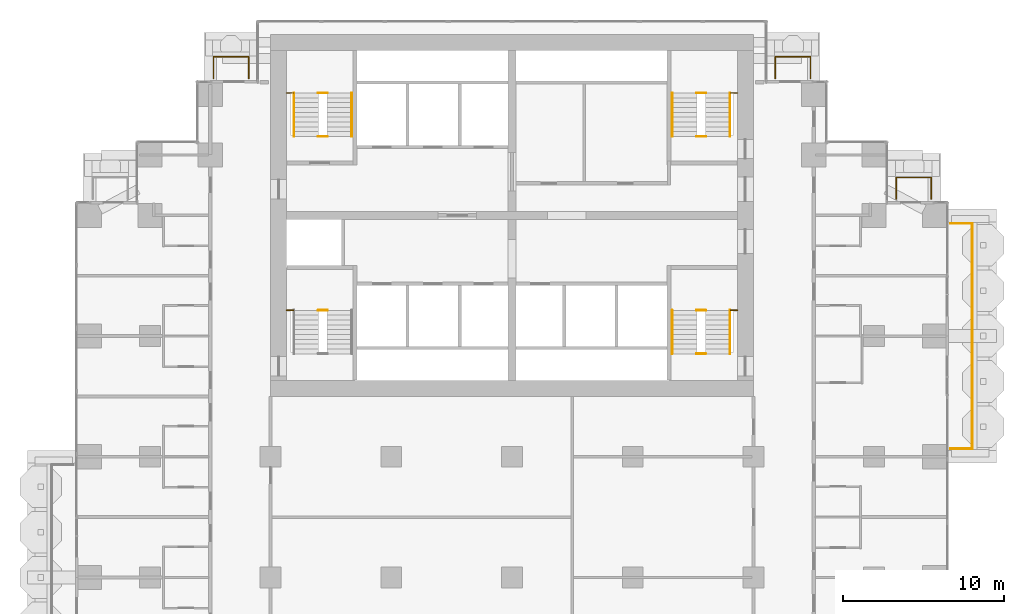
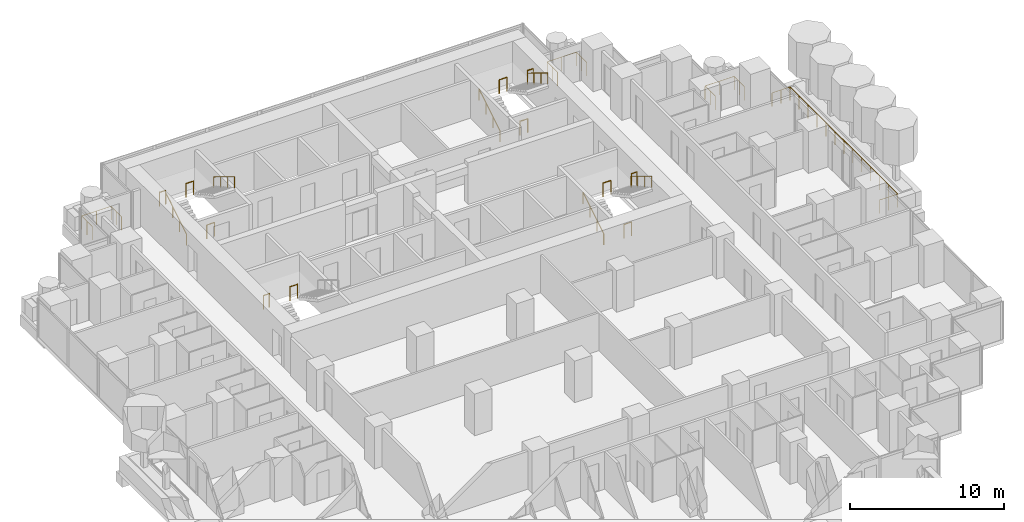
# One storey, part 19 of 20: 21 railings.
"""IFC4 building model written with IfcOpenShell, lengths in metres."""

from ifc_helpers import new_model, si_unit, direction, frame, origin, origin_2d, place, context, subcontext, project, spatial, circle, extrude, material, type_object, element, save


model = new_model("IFC4")

# Units and contexts
model_context = context("Model", 3, precision=1e-05, world=origin(), true_north=direction((0.0, 1.0)))
body_context = subcontext(model_context, "Body", "Model", "MODEL_VIEW")
ifc_project = project(units=[si_unit("LENGTHUNIT", "METRE"), si_unit("AREAUNIT", "SQUARE_METRE"), si_unit("VOLUMEUNIT", "CUBIC_METRE"), si_unit("PLANEANGLEUNIT", "RADIAN"), si_unit("MASSUNIT", "GRAM", prefix="KILO")], contexts=[model_context])

# Site, building, storey
site_placement = place(None, origin())
site = spatial("IfcSite", under=ifc_project, at=site_placement, CompositionType="ELEMENT")
building_placement = place(site_placement, origin())
building = spatial("IfcBuilding", under=site, at=building_placement, Name="Pilkhan Gate Tower", CompositionType="ELEMENT")
storey_placement = place(building_placement, frame((0.0, 0.0, 85.699951171875)))
storey = spatial("IfcBuildingStorey", under=building, at=storey_placement, Name="L20", CompositionType="ELEMENT", Elevation=85.699951171875)

# Railings
ifc_material_1 = material(Name="Pale anodised aluminium posts, laminated glass infill", Category="aluminium")
railing_type_1 = type_object("IfcRailingType", Name="Balcony guard G1", PredefinedType="BALUSTRADE", material=ifc_material_1)
railing_1_placement = place(storey_placement, frame((102.25, 68.0, 0.0)))
element("IfcRailing", 1, at=railing_1_placement, inside=storey, type_object=railing_type_1, Name="Balcony guard L20 E", PredefinedType="BALUSTRADE", context=body_context, shape_type="SweptSolid", body=[
    extrude(circle(Radius=0.02392578125, at=origin_2d()), frame((0.0, 0.0, 1.076171875), z_axis=(1.0, 0.0, 0.0), x_axis=(0.0, 1.0, 0.0)), (0.0, 0.0, 1.0), 1.35009765625),
    extrude(circle(Radius=0.02392578125, at=origin_2d()), frame((1.35009765625, 0.0, 1.076171875), z_axis=(0.0, 1.0, 0.0), x_axis=(-1.0, 0.0, 0.0)), (0.0, 0.0, 1.0), 14.0),
    extrude(circle(Radius=0.02392578125, at=origin_2d()), frame((1.35009765625, 14.0, 1.076171875), z_axis=(-1.0, 0.0, 0.0), x_axis=(0.0, -1.0, 0.0)), (0.0, 0.0, 1.0), 1.35009765625),
    extrude(circle(Radius=0.02099609375, at=origin_2d()), origin(), (0.0, 0.0, 1.0), 1.052001953125),
    extrude(circle(Radius=0.02099609375, at=origin_2d()), frame((0.675048828125, 0.0, 0.0)), (0.0, 0.0, 1.0), 1.052001953125),
    extrude(circle(Radius=0.02099609375, at=origin_2d()), frame((1.35009765625, 0.0, 0.0)), (0.0, 0.0, 1.0), 1.052001953125),
    extrude(circle(Radius=0.02099609375, at=origin_2d()), frame((1.35009765625, 1.166748046875, 0.0)), (0.0, 0.0, 1.0), 1.052001953125),
    extrude(circle(Radius=0.02099609375, at=origin_2d()), frame((1.35009765625, 2.333251953125, 0.0)), (0.0, 0.0, 1.0), 1.052001953125),
    extrude(circle(Radius=0.02099609375, at=origin_2d()), frame((1.35009765625, 3.5, 0.0)), (0.0, 0.0, 1.0), 1.052001953125),
    extrude(circle(Radius=0.02099609375, at=origin_2d()), frame((1.35009765625, 4.666748046875, 0.0)), (0.0, 0.0, 1.0), 1.052001953125),
    extrude(circle(Radius=0.02099609375, at=origin_2d()), frame((1.35009765625, 5.833251953125, 0.0)), (0.0, 0.0, 1.0), 1.052001953125),
    extrude(circle(Radius=0.02099609375, at=origin_2d()), frame((1.35009765625, 7.0, 0.0)), (0.0, 0.0, 1.0), 1.052001953125),
    extrude(circle(Radius=0.02099609375, at=origin_2d()), frame((1.35009765625, 8.166748046875, 0.0)), (0.0, 0.0, 1.0), 1.052001953125),
    extrude(circle(Radius=0.02099609375, at=origin_2d()), frame((1.35009765625, 9.333251953125, 0.0)), (0.0, 0.0, 1.0), 1.052001953125),
    extrude(circle(Radius=0.02099609375, at=origin_2d()), frame((1.35009765625, 10.5, 0.0)), (0.0, 0.0, 1.0), 1.052001953125),
    extrude(circle(Radius=0.02099609375, at=origin_2d()), frame((1.35009765625, 11.666748046875, 0.0)), (0.0, 0.0, 1.0), 1.052001953125),
    extrude(circle(Radius=0.02099609375, at=origin_2d()), frame((1.35009765625, 12.833251953125, 0.0)), (0.0, 0.0, 1.0), 1.052001953125),
    extrude(circle(Radius=0.02099609375, at=origin_2d()), frame((1.35009765625, 14.0, 0.0)), (0.0, 0.0, 1.0), 1.052001953125),
    extrude(circle(Radius=0.02099609375, at=origin_2d()), frame((0.675048828125, 14.0, 0.0)), (0.0, 0.0, 1.0), 1.052001953125),
    extrude(circle(Radius=0.02099609375, at=origin_2d()), frame((0.0, 14.0, 0.0)), (0.0, 0.0, 1.0), 1.052001953125),
])
for number, where, name in (
    (2, (56.449951171875, 91.0, 0.0), "Balcony guard L20 N"),
    (3, (91.35009765625, 91.0, 0.0), "Balcony guard L20 N"),
):
    element("IfcRailing", number, at=place(storey_placement, frame(where)), inside=storey, type_object=railing_type_1, Name=name, PredefinedType="BALUSTRADE", context=body_context, shape_type="SweptSolid", body=[
        extrude(circle(Radius=0.02392578125, at=origin_2d()), frame((0.0, 0.0, 1.076171875), z_axis=(0.0, 1.0, 0.0), x_axis=(-1.0, 0.0, 0.0)), (0.0, 0.0, 1.0), 1.35009765625),
        extrude(circle(Radius=0.02392578125, at=origin_2d()), frame((0.0, 1.35009765625, 1.076171875), z_axis=(1.0, 0.0, 0.0), x_axis=(0.0, 1.0, 0.0)), (0.0, 0.0, 1.0), 2.199951171875),
        extrude(circle(Radius=0.02392578125, at=origin_2d()), frame((2.199951171875, 1.35009765625, 1.076171875), z_axis=(0.0, -1.0, 0.0), x_axis=(1.0, 0.0, 0.0)), (0.0, 0.0, 1.0), 1.35009765625),
        extrude(circle(Radius=0.02099609375, at=origin_2d()), origin(), (0.0, 0.0, 1.0), 1.052001953125),
        extrude(circle(Radius=0.02099609375, at=origin_2d()), frame((0.0, 0.675048828125, 0.0)), (0.0, 0.0, 1.0), 1.052001953125),
        extrude(circle(Radius=0.02099609375, at=origin_2d()), frame((0.0, 1.35009765625, 0.0)), (0.0, 0.0, 1.0), 1.052001953125),
        extrude(circle(Radius=0.02099609375, at=origin_2d()), frame((1.10009765625, 1.35009765625, 0.0)), (0.0, 0.0, 1.0), 1.052001953125),
        extrude(circle(Radius=0.02099609375, at=origin_2d()), frame((2.199951171875, 1.35009765625, 0.0)), (0.0, 0.0, 1.0), 1.052001953125),
        extrude(circle(Radius=0.02099609375, at=origin_2d()), frame((2.199951171875, 0.675048828125, 0.0)), (0.0, 0.0, 1.0), 1.052001953125),
        extrude(circle(Radius=0.02099609375, at=origin_2d()), frame((2.199951171875, 0.0, 0.0)), (0.0, 0.0, 1.0), 1.052001953125),
    ])
railing_2_placement = place(storey_placement, frame((98.8701171875, 83.52001953125, 0.0)))
element("IfcRailing", 4, at=railing_2_placement, inside=storey, type_object=railing_type_1, Name="Balcony guard L20 N", PredefinedType="BALUSTRADE", context=body_context, shape_type="SweptSolid", body=[
    extrude(circle(Radius=0.02392578125, at=origin_2d()), frame((0.0, 0.0, 1.076171875), z_axis=(0.0, 1.0, 0.0), x_axis=(-1.0, 0.0, 0.0)), (0.0, 0.0, 1.0), 1.330078125),
    extrude(circle(Radius=0.02392578125, at=origin_2d()), frame((0.0, 1.330078125, 1.076171875), z_axis=(1.0, 0.0, 0.0), x_axis=(0.0, 1.0, 0.0)), (0.0, 0.0, 1.0), 2.179931640625),
    extrude(circle(Radius=0.02392578125, at=origin_2d()), frame((2.179931640625, 1.330078125, 1.076171875), z_axis=(0.0, -1.0, 0.0), x_axis=(1.0, 0.0, 0.0)), (0.0, 0.0, 1.0), 1.330078125),
    extrude(circle(Radius=0.02099609375, at=origin_2d()), origin(), (0.0, 0.0, 1.0), 1.052001953125),
    extrude(circle(Radius=0.02099609375, at=origin_2d()), frame((0.0, 0.6650390625, 0.0)), (0.0, 0.0, 1.0), 1.052001953125),
    extrude(circle(Radius=0.02099609375, at=origin_2d()), frame((0.0, 1.330078125, 0.0)), (0.0, 0.0, 1.0), 1.052001953125),
    extrude(circle(Radius=0.02099609375, at=origin_2d()), frame((1.08984375, 1.330078125, 0.0)), (0.0, 0.0, 1.0), 1.052001953125),
    extrude(circle(Radius=0.02099609375, at=origin_2d()), frame((2.179931640625, 1.330078125, 0.0)), (0.0, 0.0, 1.0), 1.052001953125),
    extrude(circle(Radius=0.02099609375, at=origin_2d()), frame((2.179931640625, 0.6650390625, 0.0)), (0.0, 0.0, 1.0), 1.052001953125),
    extrude(circle(Radius=0.02099609375, at=origin_2d()), frame((2.179931640625, 0.0, 0.0)), (0.0, 0.0, 1.0), 1.052001953125),
])
ifc_material_2 = material(Name="Black powder-coated steel tube", Category="steel")
railing_type_2 = type_object("IfcRailingType", Name="Stair handrail HR1", PredefinedType="HANDRAIL", material=ifc_material_2)
railing_3_placement = place(storey_placement, frame((84.949951171875, 73.89990234375, 0.0)))
element("IfcRailing", 5, at=railing_3_placement, inside=storey, type_object=railing_type_2, Name="Stair ST1 handrail L20", PredefinedType="HANDRAIL", context=body_context, shape_type="SweptSolid", body=[
    extrude(circle(Radius=0.02392578125, at=origin_2d()), frame((0.0, 0.0, 0.8759765625), z_axis=(0.0, 0.853278019476, 0.521456250781), x_axis=(-1.0, 0.0, 0.0)), (0.0, 0.0, 1.0), 3.16455078125),
    extrude(circle(Radius=0.02099609375, at=origin_2d()), origin(), (0.0, 0.0, 1.0), 0.851806640625),
    extrude(circle(Radius=0.02099609375, at=origin_2d()), frame((0.0, 0.900146484375, 0.550048828125)), (0.0, 0.0, 1.0), 0.851806640625),
    extrude(circle(Radius=0.02099609375, at=origin_2d()), frame((0.0, 1.800048828125, 1.10009765625)), (0.0, 0.0, 1.0), 0.851806640625),
    extrude(circle(Radius=0.02099609375, at=origin_2d()), frame((0.0, 2.7001953125, 1.650146484375)), (0.0, 0.0, 1.0), 0.851806640625),
])
railing_4_placement = place(storey_placement, frame((88.550048828125, 76.60009765625, 1.650146484375)))
element("IfcRailing", 6, at=railing_4_placement, inside=storey, type_object=railing_type_2, Name="Stair ST1 handrail L20", PredefinedType="HANDRAIL", context=body_context, shape_type="SweptSolid", body=[
    extrude(circle(Radius=0.02392578125, at=origin_2d()), frame((0.0, 0.0, 0.8759765625), z_axis=(0.0, -0.853312346642, 0.521400075823), x_axis=(1.0, 0.0, 0.0)), (0.0, 0.0, 1.0), 3.164306640625),
    extrude(circle(Radius=0.02099609375, at=origin_2d()), origin(), (0.0, 0.0, 1.0), 0.851806640625),
    extrude(circle(Radius=0.02099609375, at=origin_2d()), frame((0.0, -0.900146484375, 0.550048828125)), (0.0, 0.0, 1.0), 0.851806640625),
    extrude(circle(Radius=0.02099609375, at=origin_2d()), frame((0.0, -1.800048828125, 1.099853515625)), (0.0, 0.0, 1.0), 0.851806640625),
    extrude(circle(Radius=0.02099609375, at=origin_2d()), frame((0.0, -2.7001953125, 1.64990234375)), (0.0, 0.0, 1.0), 0.851806640625),
])
railing_5_placement = place(storey_placement, frame((61.449951171875, 87.39990234375, 0.0)))
element("IfcRailing", 7, at=railing_5_placement, inside=storey, type_object=railing_type_2, Name="Stair ST3 handrail L20", PredefinedType="HANDRAIL", context=body_context, shape_type="SweptSolid", body=[
    extrude(circle(Radius=0.02392578125, at=origin_2d()), frame((0.0, 0.0, 0.8759765625), z_axis=(0.0, 0.853278019476, 0.521456250781), x_axis=(-1.0, 0.0, 0.0)), (0.0, 0.0, 1.0), 3.16455078125),
    extrude(circle(Radius=0.02099609375, at=origin_2d()), origin(), (0.0, 0.0, 1.0), 0.851806640625),
    extrude(circle(Radius=0.02099609375, at=origin_2d()), frame((0.0, 0.900146484375, 0.550048828125)), (0.0, 0.0, 1.0), 0.851806640625),
    extrude(circle(Radius=0.02099609375, at=origin_2d()), frame((0.0, 1.800048828125, 1.10009765625)), (0.0, 0.0, 1.0), 0.851806640625),
    extrude(circle(Radius=0.02099609375, at=origin_2d()), frame((0.0, 2.7001953125, 1.650146484375)), (0.0, 0.0, 1.0), 0.851806640625),
])
railing_6_placement = place(storey_placement, frame((65.050048828125, 90.10009765625, 1.650146484375)))
element("IfcRailing", 8, at=railing_6_placement, inside=storey, type_object=railing_type_2, Name="Stair ST3 handrail L20", PredefinedType="HANDRAIL", context=body_context, shape_type="SweptSolid", body=[
    extrude(circle(Radius=0.02392578125, at=origin_2d()), frame((0.0, 0.0, 0.8759765625), z_axis=(0.0, -0.853312346642, 0.521400075823), x_axis=(1.0, 0.0, 0.0)), (0.0, 0.0, 1.0), 3.164306640625),
    extrude(circle(Radius=0.02099609375, at=origin_2d()), origin(), (0.0, 0.0, 1.0), 0.851806640625),
    extrude(circle(Radius=0.02099609375, at=origin_2d()), frame((0.0, -0.900146484375, 0.550048828125)), (0.0, 0.0, 1.0), 0.851806640625),
    extrude(circle(Radius=0.02099609375, at=origin_2d()), frame((0.0, -1.800048828125, 1.099853515625)), (0.0, 0.0, 1.0), 0.851806640625),
    extrude(circle(Radius=0.02099609375, at=origin_2d()), frame((0.0, -2.7001953125, 1.64990234375)), (0.0, 0.0, 1.0), 0.851806640625),
])
railing_7_placement = place(storey_placement, frame((84.949951171875, 87.39990234375, 0.0)))
element("IfcRailing", 9, at=railing_7_placement, inside=storey, type_object=railing_type_2, Name="Stair ST4 handrail L20", PredefinedType="HANDRAIL", context=body_context, shape_type="SweptSolid", body=[
    extrude(circle(Radius=0.02392578125, at=origin_2d()), frame((0.0, 0.0, 0.8759765625), z_axis=(0.0, 0.853278019476, 0.521456250781), x_axis=(-1.0, 0.0, 0.0)), (0.0, 0.0, 1.0), 3.16455078125),
    extrude(circle(Radius=0.02099609375, at=origin_2d()), origin(), (0.0, 0.0, 1.0), 0.851806640625),
    extrude(circle(Radius=0.02099609375, at=origin_2d()), frame((0.0, 0.900146484375, 0.550048828125)), (0.0, 0.0, 1.0), 0.851806640625),
    extrude(circle(Radius=0.02099609375, at=origin_2d()), frame((0.0, 1.800048828125, 1.10009765625)), (0.0, 0.0, 1.0), 0.851806640625),
    extrude(circle(Radius=0.02099609375, at=origin_2d()), frame((0.0, 2.7001953125, 1.650146484375)), (0.0, 0.0, 1.0), 0.851806640625),
])
railing_8_placement = place(storey_placement, frame((88.550048828125, 90.10009765625, 1.650146484375)))
element("IfcRailing", 10, at=railing_8_placement, inside=storey, type_object=railing_type_2, Name="Stair ST4 handrail L20", PredefinedType="HANDRAIL", context=body_context, shape_type="SweptSolid", body=[
    extrude(circle(Radius=0.02392578125, at=origin_2d()), frame((0.0, 0.0, 0.8759765625), z_axis=(0.0, -0.853312346642, 0.521400075823), x_axis=(1.0, 0.0, 0.0)), (0.0, 0.0, 1.0), 3.164306640625),
    extrude(circle(Radius=0.02099609375, at=origin_2d()), origin(), (0.0, 0.0, 1.0), 0.851806640625),
    extrude(circle(Radius=0.02099609375, at=origin_2d()), frame((0.0, -0.900146484375, 0.550048828125)), (0.0, 0.0, 1.0), 0.851806640625),
    extrude(circle(Radius=0.02099609375, at=origin_2d()), frame((0.0, -1.800048828125, 1.099853515625)), (0.0, 0.0, 1.0), 0.851806640625),
    extrude(circle(Radius=0.02099609375, at=origin_2d()), frame((0.0, -2.7001953125, 1.64990234375)), (0.0, 0.0, 1.0), 0.851806640625),
])
ifc_material_3 = material(Name="Black powder-coated steel balusters", Category="steel")
railing_type_3 = type_object("IfcRailingType", Name="Stair well guard G3", PredefinedType="GUARDRAIL", material=ifc_material_3)
railing_9_placement = place(storey_placement, frame((88.580078125, 76.60009765625, 1.650146484375)))
element("IfcRailing", 11, at=railing_9_placement, inside=storey, type_object=railing_type_3, Name="Stair ST1 well guard L20", PredefinedType="GUARDRAIL", context=body_context, shape_type="SweptSolid", body=[
    extrude(circle(Radius=0.02392578125, at=origin_2d()), frame((0.0, 0.0, 1.076171875), z_axis=(1.0, 0.0, 0.0), x_axis=(0.0, 1.0, 0.0)), (0.0, 0.0, 1.0), 0.43994140625),
    extrude(circle(Radius=0.02099609375, at=origin_2d()), origin(), (0.0, 0.0, 1.0), 1.052001953125),
    extrude(circle(Radius=0.02099609375, at=origin_2d()), frame((0.43994140625, 0.0, 0.0)), (0.0, 0.0, 1.0), 1.052001953125),
])
for number, where, name in (
    (12, (86.4599609375, 73.89990234375, 0.0), "Stair ST1 well guard L20"),
    (13, (86.4599609375, 76.60009765625, 1.650146484375), "Stair ST1 well guard L20"),
):
    element("IfcRailing", number, at=place(storey_placement, frame(where)), inside=storey, type_object=railing_type_3, Name=name, PredefinedType="GUARDRAIL", context=body_context, shape_type="SweptSolid", body=[
        extrude(circle(Radius=0.02392578125, at=origin_2d()), frame((0.0, 0.0, 1.076171875), z_axis=(1.0, 0.0, 0.0), x_axis=(0.0, 1.0, 0.0)), (0.0, 0.0, 1.0), 0.580078125),
        extrude(circle(Radius=0.02099609375, at=origin_2d()), origin(), (0.0, 0.0, 1.0), 1.052001953125),
        extrude(circle(Radius=0.02099609375, at=origin_2d()), frame((0.580078125, 0.0, 0.0)), (0.0, 0.0, 1.0), 1.052001953125),
    ])
railing_10_placement = place(storey_placement, frame((60.97998046875, 76.60009765625, 1.650146484375)))
element("IfcRailing", 14, at=railing_10_placement, inside=storey, type_object=railing_type_3, Name="Stair ST2 well guard L20", PredefinedType="GUARDRAIL", context=body_context, shape_type="SweptSolid", body=[
    extrude(circle(Radius=0.02392578125, at=origin_2d()), frame((0.0, 0.0, 1.076171875), z_axis=(1.0, 0.0, 0.0), x_axis=(0.0, 1.0, 0.0)), (0.0, 0.0, 1.0), 0.43994140625),
    extrude(circle(Radius=0.02099609375, at=origin_2d()), origin(), (0.0, 0.0, 1.0), 1.052001953125),
    extrude(circle(Radius=0.02099609375, at=origin_2d()), frame((0.43994140625, 0.0, 0.0)), (0.0, 0.0, 1.0), 1.052001953125),
])
railing_11_placement = place(storey_placement, frame((62.9599609375, 76.60009765625, 1.650146484375)))
element("IfcRailing", 15, at=railing_11_placement, inside=storey, type_object=railing_type_3, Name="Stair ST2 well guard L20", PredefinedType="GUARDRAIL", context=body_context, shape_type="SweptSolid", body=[
    extrude(circle(Radius=0.02392578125, at=origin_2d()), frame((0.0, 0.0, 1.076171875), z_axis=(1.0, 0.0, 0.0), x_axis=(0.0, 1.0, 0.0)), (0.0, 0.0, 1.0), 0.580078125),
    extrude(circle(Radius=0.02099609375, at=origin_2d()), origin(), (0.0, 0.0, 1.0), 1.052001953125),
    extrude(circle(Radius=0.02099609375, at=origin_2d()), frame((0.580078125, 0.0, 0.0)), (0.0, 0.0, 1.0), 1.052001953125),
])
railing_12_placement = place(storey_placement, frame((60.97998046875, 90.10009765625, 1.650146484375)))
element("IfcRailing", 16, at=railing_12_placement, inside=storey, type_object=railing_type_3, Name="Stair ST3 well guard L20", PredefinedType="GUARDRAIL", context=body_context, shape_type="SweptSolid", body=[
    extrude(circle(Radius=0.02392578125, at=origin_2d()), frame((0.0, 0.0, 1.076171875), z_axis=(1.0, 0.0, 0.0), x_axis=(0.0, 1.0, 0.0)), (0.0, 0.0, 1.0), 0.43994140625),
    extrude(circle(Radius=0.02099609375, at=origin_2d()), origin(), (0.0, 0.0, 1.0), 1.052001953125),
    extrude(circle(Radius=0.02099609375, at=origin_2d()), frame((0.43994140625, 0.0, 0.0)), (0.0, 0.0, 1.0), 1.052001953125),
])
for number, where, name in (
    (17, (62.9599609375, 87.39990234375, 0.0), "Stair ST3 well guard L20"),
    (18, (62.9599609375, 90.10009765625, 1.650146484375), "Stair ST3 well guard L20"),
):
    element("IfcRailing", number, at=place(storey_placement, frame(where)), inside=storey, type_object=railing_type_3, Name=name, PredefinedType="GUARDRAIL", context=body_context, shape_type="SweptSolid", body=[
        extrude(circle(Radius=0.02392578125, at=origin_2d()), frame((0.0, 0.0, 1.076171875), z_axis=(1.0, 0.0, 0.0), x_axis=(0.0, 1.0, 0.0)), (0.0, 0.0, 1.0), 0.580078125),
        extrude(circle(Radius=0.02099609375, at=origin_2d()), origin(), (0.0, 0.0, 1.0), 1.052001953125),
        extrude(circle(Radius=0.02099609375, at=origin_2d()), frame((0.580078125, 0.0, 0.0)), (0.0, 0.0, 1.0), 1.052001953125),
    ])
railing_13_placement = place(storey_placement, frame((88.580078125, 90.10009765625, 1.650146484375)))
element("IfcRailing", 19, at=railing_13_placement, inside=storey, type_object=railing_type_3, Name="Stair ST4 well guard L20", PredefinedType="GUARDRAIL", context=body_context, shape_type="SweptSolid", body=[
    extrude(circle(Radius=0.02392578125, at=origin_2d()), frame((0.0, 0.0, 1.076171875), z_axis=(1.0, 0.0, 0.0), x_axis=(0.0, 1.0, 0.0)), (0.0, 0.0, 1.0), 0.43994140625),
    extrude(circle(Radius=0.02099609375, at=origin_2d()), origin(), (0.0, 0.0, 1.0), 1.052001953125),
    extrude(circle(Radius=0.02099609375, at=origin_2d()), frame((0.43994140625, 0.0, 0.0)), (0.0, 0.0, 1.0), 1.052001953125),
])
for number, where, name in (
    (20, (86.4599609375, 87.39990234375, 0.0), "Stair ST4 well guard L20"),
    (21, (86.4599609375, 90.10009765625, 1.650146484375), "Stair ST4 well guard L20"),
):
    element("IfcRailing", number, at=place(storey_placement, frame(where)), inside=storey, type_object=railing_type_3, Name=name, PredefinedType="GUARDRAIL", context=body_context, shape_type="SweptSolid", body=[
        extrude(circle(Radius=0.02392578125, at=origin_2d()), frame((0.0, 0.0, 1.076171875), z_axis=(1.0, 0.0, 0.0), x_axis=(0.0, 1.0, 0.0)), (0.0, 0.0, 1.0), 0.580078125),
        extrude(circle(Radius=0.02099609375, at=origin_2d()), origin(), (0.0, 0.0, 1.0), 1.052001953125),
        extrude(circle(Radius=0.02099609375, at=origin_2d()), frame((0.580078125, 0.0, 0.0)), (0.0, 0.0, 1.0), 1.052001953125),
    ])

save(model, "model.ifc")
